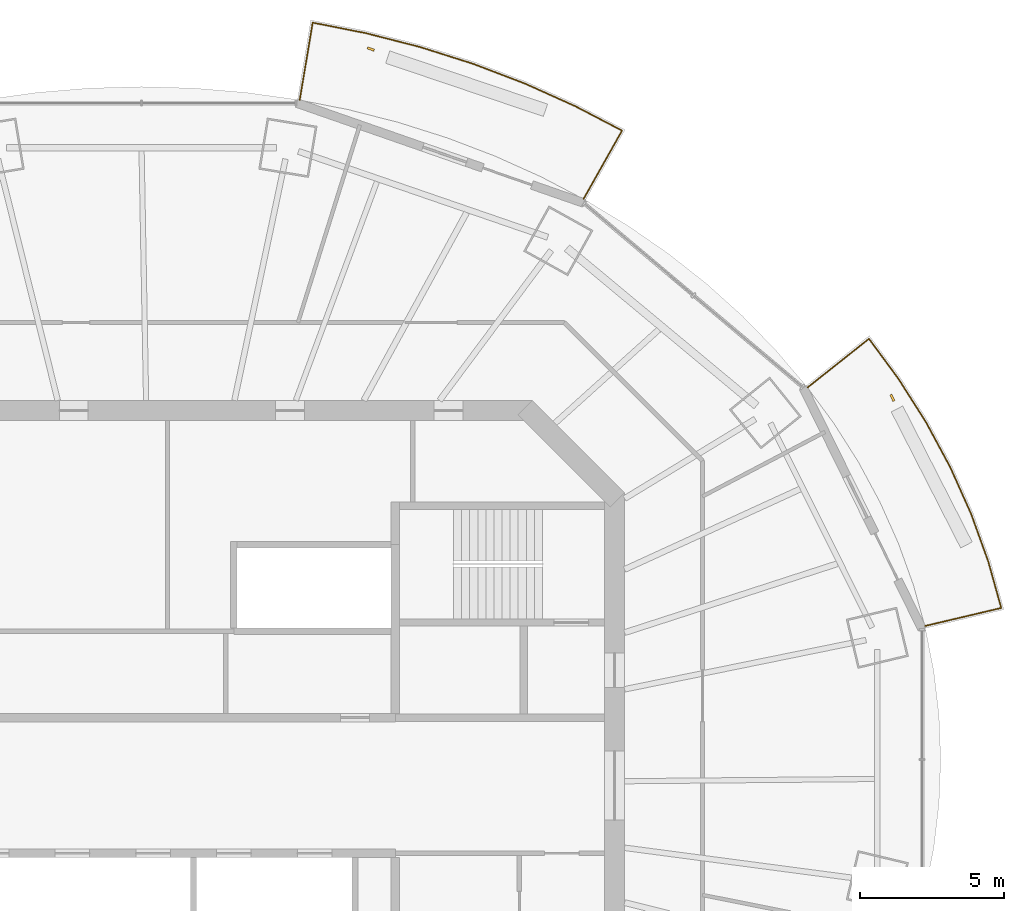
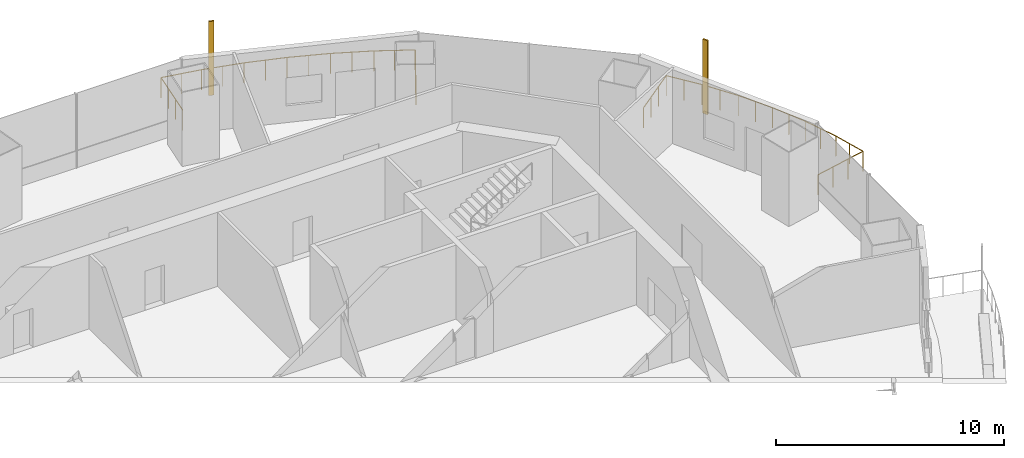
# One storey, part 15 of 16: 2 railings, 2 shading devices.
"""IFC4 building model written with IfcOpenShell, lengths in metres."""

from ifc_helpers import new_model, si_unit, direction, frame, origin, origin_2d, place, context, subcontext, project, spatial, rectangle, circle, extrude, material, material_profile, profile_set, type_object, element, save


model = new_model("IFC4")

# Units and contexts
model_context = context("Model", 3, precision=1e-05, world=origin(), true_north=direction((0.0, 1.0)))
body_context = subcontext(model_context, "Body", "Model", "MODEL_VIEW")
ifc_project = project(units=[si_unit("LENGTHUNIT", "METRE"), si_unit("AREAUNIT", "SQUARE_METRE"), si_unit("VOLUMEUNIT", "CUBIC_METRE"), si_unit("PLANEANGLEUNIT", "RADIAN"), si_unit("MASSUNIT", "GRAM", prefix="KILO")], contexts=[model_context])

# Site, building, storey
site_placement = place(None, origin())
site = spatial("IfcSite", under=ifc_project, at=site_placement, CompositionType="ELEMENT")
building_placement = place(site_placement, origin())
building = spatial("IfcBuilding", under=site, at=building_placement, Name="Marenthal Gate Tower", CompositionType="ELEMENT")
storey_placement = place(building_placement, frame((0.0, 0.0, 321.85009765625)))
storey = spatial("IfcBuildingStorey", under=building, at=storey_placement, Name="L72", CompositionType="ELEMENT", Elevation=321.85009765625)

# Railings
ifc_material_1 = material(Name="Stainless steel", Category="steel")
railing_type = type_object("IfcRailingType", Name="Balcony guard 1100", PredefinedType="GUARDRAIL", material=ifc_material_1)
railing_1_placement = place(storey_placement, frame((22.69140625, 13.797119140625, 0.0)))
element("IfcRailing", 1, at=railing_1_placement, inside=storey, type_object=railing_type, Name="Balcony guard L72 bay 1", PredefinedType="GUARDRAIL", context=body_context, shape_type="SweptSolid", body=[
    extrude(circle(Radius=0.02392578125, at=origin_2d()), frame((0.0, 0.0, 1.076171875), z_axis=(0.783491150454, 0.621228607496, -0.014718505003), x_axis=(-0.621295908171, 0.783576029808, 0.0)), (0.0, 0.0, 1.0), 2.72021484375),
    extrude(circle(Radius=0.02392578125, at=origin_2d()), frame((2.13134765625, 1.68994140625, 1.0361328125), z_axis=(0.592850645272, -0.805312431545, 0.0), x_axis=(0.805312431545, 0.592850645272, 0.0)), (0.0, 0.0, 1.0), 1.721435546875),
    extrude(circle(Radius=0.02392578125, at=origin_2d()), frame((3.15185546875, 0.3037109375, 1.0361328125), z_axis=(0.535974159658, -0.844234386991, 0.0), x_axis=(0.844234386991, 0.535974159658, 0.0)), (0.0, 0.0, 1.0), 1.788330078125),
    extrude(circle(Radius=0.02392578125, at=origin_2d()), frame((4.1103515625, -1.2060546875, 1.0361328125), z_axis=(0.47389491034, -0.880581406772, 0.0), x_axis=(0.880581406772, 0.47389491034, 0.0)), (0.0, 0.0, 1.0), 1.7763671875),
    extrude(circle(Radius=0.02392578125, at=origin_2d()), frame((4.9521484375, -2.770263671875, 1.0361328125), z_axis=(0.408087166089, -0.912942969124, 0.0), x_axis=(0.912942969124, 0.408087166089, 0.0)), (0.0, 0.0, 1.0), 1.76611328125),
    extrude(circle(Radius=0.02392578125, at=origin_2d()), frame((5.6728515625, -4.382568359375, 1.0361328125), z_axis=(0.338940900894, -0.940807666689, 0.0), x_axis=(0.940807666689, 0.338940900894, 0.0)), (0.0, 0.0, 1.0), 1.7568359375),
    extrude(circle(Radius=0.02392578125, at=origin_2d()), frame((6.268310546875, -6.035400390625, 1.0361328125), z_axis=(0.268767418185, -0.963205105324, 0.0), x_axis=(0.963205105324, 0.268767418185, 0.0)), (0.0, 0.0, 1.0), 1.669677734375),
    extrude(circle(Radius=0.02392578125, at=origin_2d()), frame((6.717041015625, -7.6435546875, 1.0361328125), z_axis=(-0.973162057354, -0.229649733011, 0.014717685117), x_axis=(0.229674609296, -0.97326747292, 0.0)), (0.0, 0.0, 1.0), 2.720458984375),
    extrude(circle(Radius=0.02099609375, at=origin_2d()), origin(), (0.0, 0.0, 1.0), 1.052001953125),
    extrude(circle(Radius=0.02099609375, at=origin_2d()), frame((0.71044921875, 0.563232421875, -0.013427734375)), (0.0, 0.0, 1.0), 1.052001953125),
    extrude(circle(Radius=0.02099609375, at=origin_2d()), frame((1.4208984375, 1.126708984375, -0.026611328125)), (0.0, 0.0, 1.0), 1.052001953125),
    extrude(circle(Radius=0.02099609375, at=origin_2d()), frame((2.13134765625, 1.68994140625, -0.0400390625)), (0.0, 0.0, 1.0), 1.052001953125),
    extrude(circle(Radius=0.02099609375, at=origin_2d()), frame((2.6416015625, 0.996826171875, -0.0400390625)), (0.0, 0.0, 1.0), 1.052001953125),
    extrude(circle(Radius=0.02099609375, at=origin_2d()), frame((3.15185546875, 0.3037109375, -0.0400390625)), (0.0, 0.0, 1.0), 1.052001953125),
    extrude(circle(Radius=0.02099609375, at=origin_2d()), frame((3.631103515625, -0.451171875, -0.0400390625)), (0.0, 0.0, 1.0), 1.052001953125),
    extrude(circle(Radius=0.02099609375, at=origin_2d()), frame((4.1103515625, -1.2060546875, -0.0400390625)), (0.0, 0.0, 1.0), 1.052001953125),
    extrude(circle(Radius=0.02099609375, at=origin_2d()), frame((4.53125, -1.98828125, -0.0400390625)), (0.0, 0.0, 1.0), 1.052001953125),
    extrude(circle(Radius=0.02099609375, at=origin_2d()), frame((4.9521484375, -2.770263671875, -0.0400390625)), (0.0, 0.0, 1.0), 1.052001953125),
    extrude(circle(Radius=0.02099609375, at=origin_2d()), frame((5.3125, -3.576416015625, -0.0400390625)), (0.0, 0.0, 1.0), 1.052001953125),
    extrude(circle(Radius=0.02099609375, at=origin_2d()), frame((5.6728515625, -4.382568359375, -0.0400390625)), (0.0, 0.0, 1.0), 1.052001953125),
    extrude(circle(Radius=0.02099609375, at=origin_2d()), frame((5.970703125, -5.208984375, -0.0400390625)), (0.0, 0.0, 1.0), 1.052001953125),
    extrude(circle(Radius=0.02099609375, at=origin_2d()), frame((6.268310546875, -6.035400390625, -0.0400390625)), (0.0, 0.0, 1.0), 1.052001953125),
    extrude(circle(Radius=0.02099609375, at=origin_2d()), frame((6.49267578125, -6.83935546875, -0.0400390625)), (0.0, 0.0, 1.0), 1.052001953125),
    extrude(circle(Radius=0.02099609375, at=origin_2d()), frame((6.717041015625, -7.6435546875, -0.0400390625)), (0.0, 0.0, 1.0), 1.052001953125),
    extrude(circle(Radius=0.02099609375, at=origin_2d()), frame((5.83447265625, -7.851806640625, -0.026611328125)), (0.0, 0.0, 1.0), 1.052001953125),
    extrude(circle(Radius=0.02099609375, at=origin_2d()), frame((4.9521484375, -8.06005859375, -0.013427734375)), (0.0, 0.0, 1.0), 1.052001953125),
    extrude(circle(Radius=0.02099609375, at=origin_2d()), frame((4.069580078125, -8.268310546875, 0.0)), (0.0, 0.0, 1.0), 1.052001953125),
])
railing_2_placement = place(storey_placement, frame((5.085205078125, 23.765625, 0.0)))
element("IfcRailing", 2, at=railing_2_placement, inside=storey, type_object=railing_type, Name="Balcony guard L72 bay 3", PredefinedType="GUARDRAIL", context=body_context, shape_type="SweptSolid", body=[
    extrude(circle(Radius=0.02392578125, at=origin_2d()), frame((0.0, 0.0, 1.076171875), z_axis=(0.165225230724, 0.986146026723, -0.014718597414), x_axis=(-0.986252861995, 0.165243130591, 0.0)), (0.0, 0.0, 1.0), 2.72021484375),
    extrude(circle(Radius=0.02392578125, at=origin_2d()), frame((0.449462890625, 2.6826171875, 1.0361328125), z_axis=(0.981044354343, -0.193783319228, 0.0), x_axis=(0.193783319228, 0.981044354343, 0.0)), (0.0, 0.0, 1.0), 1.8720703125),
    extrude(circle(Radius=0.02392578125, at=origin_2d()), frame((2.2861328125, 2.31982421875, 1.0361328125), z_axis=(0.968904264382, -0.247435903744, 0.0), x_axis=(0.247435903744, 0.968904264382, 0.0)), (0.0, 0.0, 1.0), 1.94482421875),
    extrude(circle(Radius=0.02392578125, at=origin_2d()), frame((4.17041015625, 1.838623046875, 1.0361328125), z_axis=(0.953258105079, -0.302157219178, 0.0), x_axis=(0.302157219178, 0.953258105079, 0.0)), (0.0, 0.0, 1.0), 1.93603515625),
    extrude(circle(Radius=0.02392578125, at=origin_2d()), frame((6.015869140625, 1.253662109375, 1.0361328125), z_axis=(0.93438727594, -0.356258920677, 0.0), x_axis=(0.356258920677, 0.93438727594, 0.0)), (0.0, 0.0, 1.0), 1.92578125),
    extrude(circle(Radius=0.02392578125, at=origin_2d()), frame((7.815185546875, 0.567626953125, 1.0361328125), z_axis=(0.911923891931, -0.410359373387, 0.0), x_axis=(0.410359373387, 0.911923891931, 0.0)), (0.0, 0.0, 1.0), 1.913818359375),
    extrude(circle(Radius=0.02392578125, at=origin_2d()), frame((9.560546875, -0.2177734375, 1.0361328125), z_axis=(0.886546608419, -0.462639288324, 0.0), x_axis=(0.462639288324, 0.886546608419, 0.0)), (0.0, 0.0, 1.0), 1.82177734375),
    extrude(circle(Radius=0.02392578125, at=origin_2d()), frame((11.175537109375, -1.060546875, 1.0361328125), z_axis=(-0.490566018996, -0.871279713211, 0.014718775543), x_axis=(0.871374106592, -0.49061916632, 0.0)), (0.0, 0.0, 1.0), 2.72021484375),
    extrude(circle(Radius=0.02099609375, at=origin_2d()), origin(), (0.0, 0.0, 1.0), 1.052001953125),
    extrude(circle(Radius=0.02099609375, at=origin_2d()), frame((0.14990234375, 0.894287109375, -0.013427734375)), (0.0, 0.0, 1.0), 1.052001953125),
    extrude(circle(Radius=0.02099609375, at=origin_2d()), frame((0.299560546875, 1.788330078125, -0.026611328125)), (0.0, 0.0, 1.0), 1.052001953125),
    extrude(circle(Radius=0.02099609375, at=origin_2d()), frame((0.449462890625, 2.6826171875, -0.0400390625)), (0.0, 0.0, 1.0), 1.052001953125),
    extrude(circle(Radius=0.02099609375, at=origin_2d()), frame((1.36767578125, 2.501220703125, -0.0400390625)), (0.0, 0.0, 1.0), 1.052001953125),
    extrude(circle(Radius=0.02099609375, at=origin_2d()), frame((2.2861328125, 2.31982421875, -0.0400390625)), (0.0, 0.0, 1.0), 1.052001953125),
    extrude(circle(Radius=0.02099609375, at=origin_2d()), frame((3.228271484375, 2.0791015625, -0.0400390625)), (0.0, 0.0, 1.0), 1.052001953125),
    extrude(circle(Radius=0.02099609375, at=origin_2d()), frame((4.17041015625, 1.838623046875, -0.0400390625)), (0.0, 0.0, 1.0), 1.052001953125),
    extrude(circle(Radius=0.02099609375, at=origin_2d()), frame((5.09326171875, 1.546142578125, -0.0400390625)), (0.0, 0.0, 1.0), 1.052001953125),
    extrude(circle(Radius=0.02099609375, at=origin_2d()), frame((6.015869140625, 1.253662109375, -0.0400390625)), (0.0, 0.0, 1.0), 1.052001953125),
    extrude(circle(Radius=0.02099609375, at=origin_2d()), frame((6.91552734375, 0.91064453125, -0.0400390625)), (0.0, 0.0, 1.0), 1.052001953125),
    extrude(circle(Radius=0.02099609375, at=origin_2d()), frame((7.815185546875, 0.567626953125, -0.0400390625)), (0.0, 0.0, 1.0), 1.052001953125),
    extrude(circle(Radius=0.02099609375, at=origin_2d()), frame((8.68798828125, 0.1748046875, -0.0400390625)), (0.0, 0.0, 1.0), 1.052001953125),
    extrude(circle(Radius=0.02099609375, at=origin_2d()), frame((9.560546875, -0.2177734375, -0.0400390625)), (0.0, 0.0, 1.0), 1.052001953125),
    extrude(circle(Radius=0.02099609375, at=origin_2d()), frame((10.3681640625, -0.63916015625, -0.0400390625)), (0.0, 0.0, 1.0), 1.052001953125),
    extrude(circle(Radius=0.02099609375, at=origin_2d()), frame((11.175537109375, -1.060546875, -0.0400390625)), (0.0, 0.0, 1.0), 1.052001953125),
    extrude(circle(Radius=0.02099609375, at=origin_2d()), frame((10.730712890625, -1.8505859375, -0.026611328125)), (0.0, 0.0, 1.0), 1.052001953125),
    extrude(circle(Radius=0.02099609375, at=origin_2d()), frame((10.285888671875, -2.640625, -0.013427734375)), (0.0, 0.0, 1.0), 1.052001953125),
    extrude(circle(Radius=0.02099609375, at=origin_2d()), frame((9.841064453125, -3.4306640625, 0.0)), (0.0, 0.0, 1.0), 1.052001953125),
])

# Shading devices
ifc_material_2 = material(Name="Terracotta", Category="masonry")
ifc_material_profile = material_profile(ifc_material_2, rectangle(XDim=0.25, YDim=0.080078125, at=origin_2d()), Name="Terracotta baguette 250x80")
ifc_profile_set = profile_set([ifc_material_profile], Name="Terracotta")
shading_device_type = type_object("IfcShadingDeviceType", Name="Terracotta BAGUETTE SCREEN 250x80", PredefinedType="USERDEFINED", material=ifc_profile_set)
for number, where, z_axis, x_axis, name in (
    (3, (25.633544921875, 13.438720703125, -0.0400390625), (0.0, 0.0, 1.0), (-0.441395261574, 0.897312778834, 0.0), "Terracotta BAGUETTE L72 bay 1R"),
    (4, (7.550537109375, 25.533203125, -0.0400390625), (0.0, 0.0, 1.0), (-0.944213856974, 0.329332950521, 0.0), "Terracotta BAGUETTE L72 bay 3R"),
):
    element("IfcShadingDevice", number, at=place(storey_placement, frame(where, z_axis=z_axis, x_axis=x_axis)), inside=storey, type_object=shading_device_type, Name=name, ObjectType="BAGUETTE SCREEN", PredefinedType="USERDEFINED", context=body_context, shape_type="SweptSolid", body=[
        extrude(rectangle(XDim=0.25, YDim=0.080078125, at=origin_2d()), origin(), (0.0, 0.0, 1.0), 3.969970703125),
    ])

save(model, "model.ifc")
